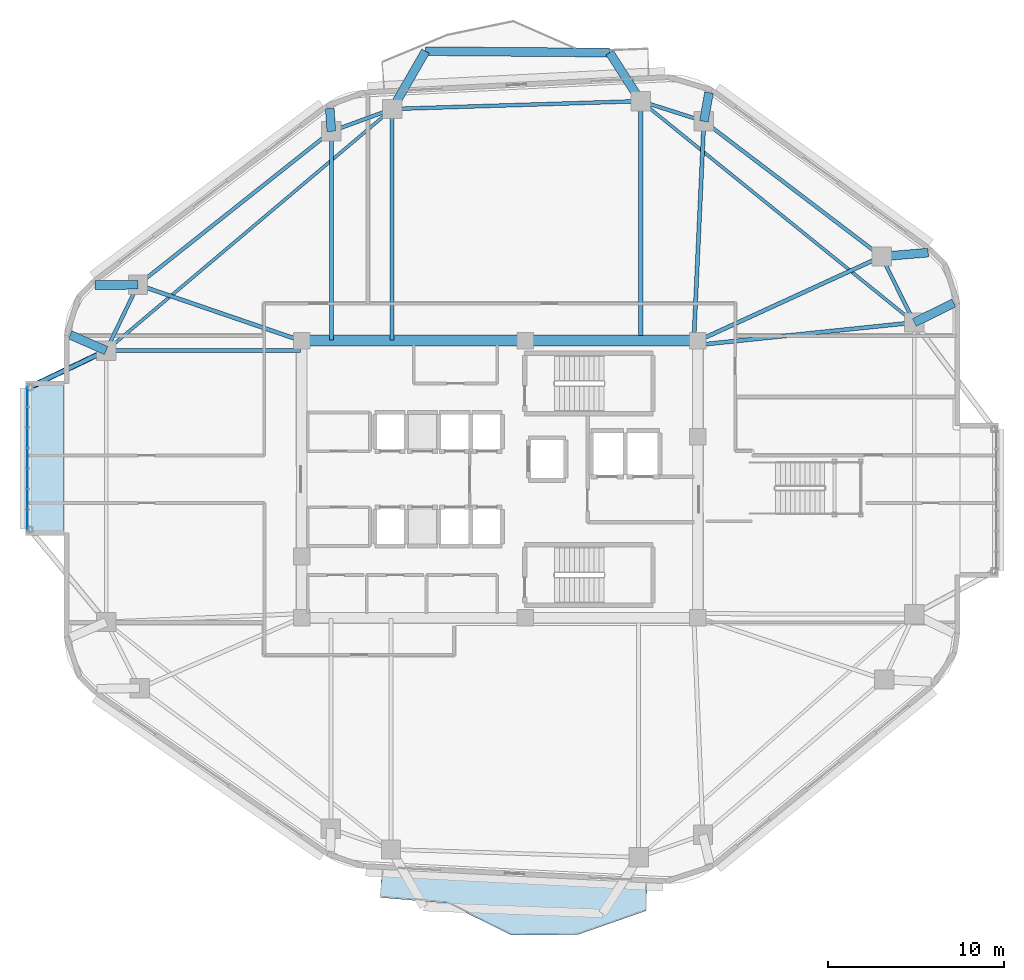
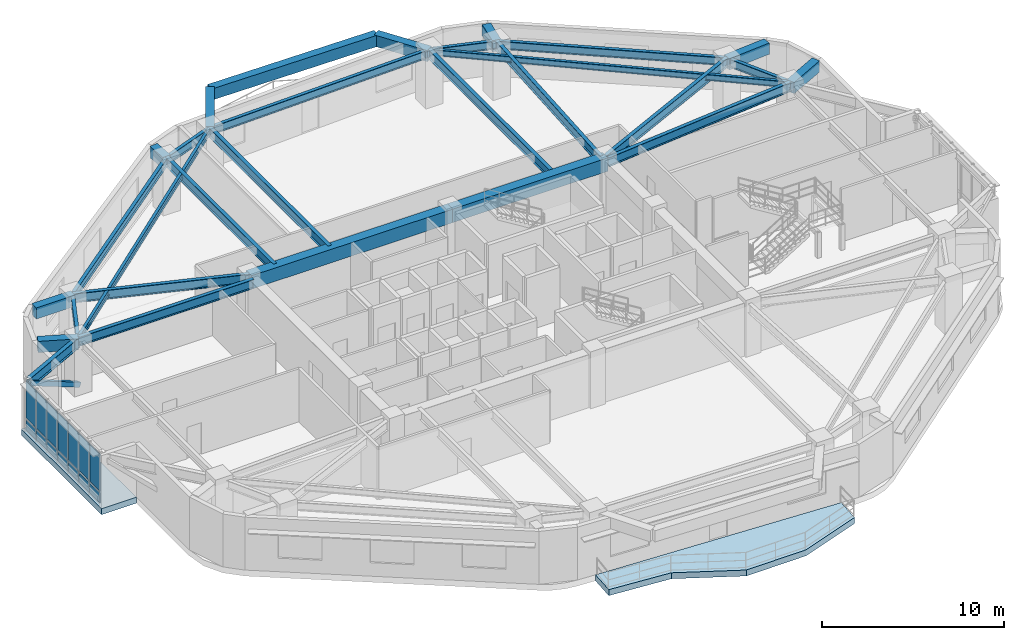
# One storey, part 7 of 16: 29 beams, 14 plates, 2 slabs, 1 member, 1 element without a shape of its own.
"""IFC4 building model written with IfcOpenShell, lengths in metres."""

from ifc_helpers import new_model, si_unit, direction, frame, origin, origin_2d, place, context, subcontext, project, spatial, polyline, rectangle, hollow_rectangle, i_section, outline, extrude, material, layer, layer_set, material_profile, profile_set, type_object, element, aggregate, save


model = new_model("IFC4")

# Units and contexts
model_context = context("Model", 3, precision=1e-05, world=origin(), true_north=direction((0.0, 1.0)))
body_context = subcontext(model_context, "Body", "Model", "MODEL_VIEW")
ifc_project = project(units=[si_unit("LENGTHUNIT", "METRE"), si_unit("AREAUNIT", "SQUARE_METRE"), si_unit("VOLUMEUNIT", "CUBIC_METRE"), si_unit("PLANEANGLEUNIT", "RADIAN"), si_unit("MASSUNIT", "GRAM", prefix="KILO")], contexts=[model_context])

# Site, building, storey
site_placement = place(None, origin())
site = spatial("IfcSite", under=ifc_project, at=site_placement, CompositionType="ELEMENT")
building_placement = place(site_placement, origin())
building = spatial("IfcBuilding", under=site, at=building_placement, Name="Zulverin Broadcast Headquarters", CompositionType="ELEMENT")
storey_placement = place(building_placement, frame((0.0, 0.0, 125.0)))
storey = spatial("IfcBuildingStorey", under=building, at=storey_placement, Name="L31", CompositionType="ELEMENT", Elevation=125.0)

# Beams
ifc_material_1 = material(Name="Concrete C60/75", Category="concrete")
ifc_material_profile_1 = material_profile(ifc_material_1, rectangle(XDim=0.60009765625, YDim=0.89990234375, at=origin_2d()), Name="Concrete C60/75", Category="concrete")
ifc_profile_set_1 = profile_set([ifc_material_profile_1], Name="Concrete C60/75")
beam_type_1 = type_object("IfcBeamType", Name="BM-CB-600x900", PredefinedType="LINTEL", material=ifc_profile_set_1)
beam_1_placement = place(storey_placement, frame((48.27490234375, 33.074951171875, 3.090087890625), z_axis=(-1.0, 0.0, 0.0), x_axis=(0.0, -1.0, 0.0)))
element("IfcBeam", 1, at=beam_1_placement, inside=storey, type_object=beam_type_1, Name="L31 Core Coupling Girder K05-K06", PredefinedType="LINTEL", context=body_context, shape_type="SweptSolid", body=[
    extrude(rectangle(XDim=0.60009765625, YDim=0.89990234375, at=origin_2d()), origin(), (0.0, 0.0, 1.0), 9.824951171875),
])
beam_2_placement = place(storey_placement, frame((38.449951171875, 33.074951171875, 3.090087890625), z_axis=(-1.0, 0.0, 0.0), x_axis=(0.0, -1.0, 0.0)))
element("IfcBeam", 2, at=beam_2_placement, inside=storey, type_object=beam_type_1, Name="L31 Core Coupling Girder K06-K07", PredefinedType="LINTEL", context=body_context, shape_type="SweptSolid", body=[
    extrude(rectangle(XDim=0.60009765625, YDim=0.89990234375, at=origin_2d()), origin(), (0.0, 0.0, 1.0), 12.724853515625),
])
ifc_material_2 = material(Name="Concrete C40/50", Category="concrete")
ifc_material_profile_2 = material_profile(ifc_material_2, rectangle(XDim=0.5, YDim=0.75, at=origin_2d()), Name="Concrete C40/50", Category="concrete")
ifc_profile_set_2 = profile_set([ifc_material_profile_2], Name="Concrete C40/50")
beam_type_2 = type_object("IfcBeamType", Name="BM-RC-500x750", PredefinedType="BEAM", material=ifc_profile_set_2)
beam_3_placement = place(storey_placement, frame((60.60009765625, 34.12158203125, 3.1650390625), z_axis=(0.89705908708, 0.441910617984, 0.0), x_axis=(-0.441910617984, 0.89705908708, 0.0)))
element("IfcBeam", 3, at=beam_3_placement, inside=storey, type_object=beam_type_2, Name="L32 Plate Overhang Back-Spanned Beam OVR-06", PredefinedType="BEAM", context=body_context, shape_type="SweptSolid", body=[
    extrude(rectangle(XDim=0.5, YDim=0.75, at=origin_2d()), origin(), (0.0, 0.0, 1.0), 2.50830078125),
])
beam_4_placement = place(storey_placement, frame((58.738037109375, 37.877685546875, 3.1650390625), z_axis=(0.996584209885, 0.082582762173, 0.0), x_axis=(-0.082582762173, 0.996584209885, 0.0)))
element("IfcBeam", 4, at=beam_4_placement, inside=storey, type_object=beam_type_2, Name="L32 Plate Overhang Back-Spanned Beam OVR-07", PredefinedType="BEAM", context=body_context, shape_type="SweptSolid", body=[
    extrude(rectangle(XDim=0.5, YDim=0.75, at=origin_2d()), origin(), (0.0, 0.0, 1.0), 2.66357421875),
])
beam_5_placement = place(storey_placement, frame((48.62158203125, 45.574951171875, 3.1650390625), z_axis=(0.176183868408, 0.984357274831, 0.0), x_axis=(-0.984357274831, 0.176183868408, 0.0)))
element("IfcBeam", 5, at=beam_5_placement, inside=storey, type_object=beam_type_2, Name="L32 Plate Overhang Back-Spanned Beam OVR-08", PredefinedType="BEAM", context=body_context, shape_type="SweptSolid", body=[
    extrude(rectangle(XDim=0.5, YDim=0.75, at=origin_2d()), origin(), (0.0, 0.0, 1.0), 1.654541015625),
])
beam_6_placement = place(storey_placement, frame((27.416259765625, 45.00439453125, 3.1650390625), z_axis=(-0.068312581643, 0.99766396707, 0.0), x_axis=(-0.99766396707, -0.068312581643, 0.0)))
element("IfcBeam", 6, at=beam_6_placement, inside=storey, type_object=beam_type_2, Name="L32 Plate Overhang Back-Spanned Beam OVR-11", PredefinedType="BEAM", context=body_context, shape_type="SweptSolid", body=[
    extrude(rectangle(XDim=0.5, YDim=0.75, at=origin_2d()), origin(), (0.0, 0.0, 1.0), 1.30078125),
])
beam_7_placement = place(storey_placement, frame((16.40869140625, 36.26806640625, 3.1650390625), z_axis=(-0.999988487108, -0.004798505187, 0.0), x_axis=(0.004798505187, -0.999988487108, 0.0)))
element("IfcBeam", 7, at=beam_7_placement, inside=storey, type_object=beam_type_2, Name="L32 Plate Overhang Back-Spanned Beam OVR-12", PredefinedType="BEAM", context=body_context, shape_type="SweptSolid", body=[
    extrude(rectangle(XDim=0.5, YDim=0.75, at=origin_2d()), origin(), (0.0, 0.0, 1.0), 2.442138671875),
])
beam_8_placement = place(storey_placement, frame((14.60009765625, 32.523193359375, 3.1650390625), z_axis=(-0.916345077011, 0.400389435221, 0.0), x_axis=(-0.400389435221, -0.916345077011, 0.0)))
element("IfcBeam", 8, at=beam_8_placement, inside=storey, type_object=beam_type_2, Name="L32 Plate Overhang Back-Spanned Beam OVR-13", PredefinedType="BEAM", context=body_context, shape_type="SweptSolid", body=[
    extrude(rectangle(XDim=0.5, YDim=0.75, at=origin_2d()), origin(), (0.0, 0.0, 1.0), 2.2373046875),
])
beam_9_placement = place(storey_placement, frame((45.027587890625, 46.7236328125, 3.1650390625), z_axis=(-0.539782488406, 0.841804529098, 0.0), x_axis=(-0.841804529098, -0.539782488406, 0.0)))
element("IfcBeam", 9, at=beam_9_placement, inside=storey, type_object=beam_type_2, Name="L32 Balcony Column-Framed Cantilever BAL_N-1", PredefinedType="BEAM", context=body_context, shape_type="SweptSolid", body=[
    extrude(rectangle(XDim=0.5, YDim=0.75, at=origin_2d()), origin(), (0.0, 0.0, 1.0), 3.278564453125),
])
beam_10_placement = place(storey_placement, frame((30.882080078125, 46.27490234375, 3.1650390625), z_axis=(0.500167342989, 0.865928766705, 0.0), x_axis=(-0.865928766705, 0.500167342989, 0.0)))
element("IfcBeam", 10, at=beam_10_placement, inside=storey, type_object=beam_type_2, Name="L32 Balcony Column-Framed Cantilever BAL_N-2", PredefinedType="BEAM", context=body_context, shape_type="SweptSolid", body=[
    extrude(rectangle(XDim=0.5, YDim=0.75, at=origin_2d()), origin(), (0.0, 0.0, 1.0), 3.800048828125),
])
beam_11_placement = place(storey_placement, frame((43.2578125, 49.483642578125, 3.1650390625), z_axis=(-0.99996952079, 0.007807527839, 0.0), x_axis=(-0.007807527839, -0.99996952079, 0.0)))
element("IfcBeam", 11, at=beam_11_placement, inside=storey, type_object=beam_type_2, Name="L32 Balcony Outer Edge Trimmer Beam BAL_N", PredefinedType="BEAM", context=body_context, shape_type="SweptSolid", body=[
    extrude(rectangle(XDim=0.5, YDim=0.75, at=origin_2d()), origin(), (0.0, 0.0, 1.0), 10.475341796875),
])
ifc_material_3 = material(Name="Structural steel S355JR", Category="steel")
ifc_material_profile_3 = material_profile(ifc_material_3, i_section(OverallWidth=0.179443359375, OverallDepth=0.412841796875, WebThickness=0.009521484375, FlangeThickness=0.01611328125, at=origin_2d()), Name="Structural steel S355JR", Category="steel")
ifc_profile_set_3 = profile_set([ifc_material_profile_3], Name="Structural steel S355JR")
beam_type_3 = type_object("IfcBeamType", Name="BM-UB-406", PredefinedType="JOIST", material=ifc_profile_set_3)
beam_12_placement = place(storey_placement, frame((60.60009765625, 34.12158203125, 3.33349609375), z_axis=(-0.777349017335, 0.629069555175, 0.0), x_axis=(-0.629069555175, -0.777349017335, 0.0)))
element("IfcBeam", 12, at=beam_12_placement, inside=storey, type_object=beam_type_3, Name="L31 Chordal Floor Joist J-02", PredefinedType="JOIST", context=body_context, shape_type="SweptSolid", body=[
    extrude(i_section(OverallWidth=0.179443359375, OverallDepth=0.412841796875, WebThickness=0.009521484375, FlangeThickness=0.01611328125, at=origin_2d()), origin(), (0.0, 0.0, 1.0), 20.032958984375),
])
beam_13_placement = place(storey_placement, frame((30.882080078125, 46.27490234375, 3.33349609375), z_axis=(-0.763972566446, -0.645248725468, 0.0), x_axis=(0.645248725468, -0.763972566446, 0.0)))
element("IfcBeam", 13, at=beam_13_placement, inside=storey, type_object=beam_type_3, Name="L31 Chordal Floor Joist J-03", PredefinedType="JOIST", context=body_context, shape_type="SweptSolid", body=[
    extrude(i_section(OverallWidth=0.179443359375, OverallDepth=0.412841796875, WebThickness=0.009521484375, FlangeThickness=0.01611328125, at=origin_2d()), origin(), (0.0, 0.0, 1.0), 21.312255859375),
])
ifc_material_profile_4 = material_profile(ifc_material_3, i_section(OverallWidth=0.2119140625, OverallDepth=0.54443359375, WebThickness=0.0126953125, FlangeThickness=0.021240234375, at=origin_2d()), Name="Structural steel S355JR", Category="steel")
ifc_profile_set_4 = profile_set([ifc_material_profile_4], Name="Structural steel S355JR")
beam_type_4 = type_object("IfcBeamType", Name="BM-UB-533", PredefinedType="SPANDREL", material=ifc_profile_set_4)
beam_14_placement = place(storey_placement, frame((60.60009765625, 34.12158203125, 3.267578125), z_axis=(-0.444159471033, 0.895947746407, 0.0), x_axis=(-0.895947746407, -0.444159471033, 0.0)))
element("IfcBeam", 14, at=beam_14_placement, inside=storey, type_object=beam_type_4, Name="L31 Perimeter Spandrel Beam SP-06", PredefinedType="SPANDREL", context=body_context, shape_type="SweptSolid", body=[
    extrude(i_section(OverallWidth=0.2119140625, OverallDepth=0.54443359375, WebThickness=0.0126953125, FlangeThickness=0.021240234375, at=origin_2d()), origin(), (0.0, 0.0, 1.0), 4.1923828125),
])
beam_15_placement = place(storey_placement, frame((58.738037109375, 37.877685546875, 3.267578125), z_axis=(-0.795830102505, 0.60551998146, 0.0), x_axis=(-0.60551998146, -0.795830102505, 0.0)))
element("IfcBeam", 15, at=beam_15_placement, inside=storey, type_object=beam_type_4, Name="L31 Perimeter Spandrel Beam SP-07", PredefinedType="SPANDREL", context=body_context, shape_type="SweptSolid", body=[
    extrude(i_section(OverallWidth=0.2119140625, OverallDepth=0.54443359375, WebThickness=0.0126953125, FlangeThickness=0.021240234375, at=origin_2d()), origin(), (0.0, 0.0, 1.0), 12.7119140625),
])
beam_16_placement = place(storey_placement, frame((48.62158203125, 45.574951171875, 3.267578125), z_axis=(-0.952531523781, 0.304439971428, 0.0), x_axis=(-0.304439971428, -0.952531523781, 0.0)))
element("IfcBeam", 16, at=beam_16_placement, inside=storey, type_object=beam_type_4, Name="L31 Perimeter Spandrel Beam SP-08", PredefinedType="SPANDREL", context=body_context, shape_type="SweptSolid", body=[
    extrude(i_section(OverallWidth=0.2119140625, OverallDepth=0.54443359375, WebThickness=0.0126953125, FlangeThickness=0.021240234375, at=origin_2d()), origin(), (0.0, 0.0, 1.0), 3.773193359375),
])
beam_17_placement = place(storey_placement, frame((45.027587890625, 46.7236328125, 3.267578125), z_axis=(-0.999497221833, -0.031706522156, 0.0), x_axis=(0.031706522156, -0.999497221833, 0.0)))
element("IfcBeam", 17, at=beam_17_placement, inside=storey, type_object=beam_type_4, Name="L31 Perimeter Spandrel Beam SP-09", PredefinedType="SPANDREL", context=body_context, shape_type="SweptSolid", body=[
    extrude(i_section(OverallWidth=0.2119140625, OverallDepth=0.54443359375, WebThickness=0.0126953125, FlangeThickness=0.021240234375, at=origin_2d()), origin(), (0.0, 0.0, 1.0), 14.152587890625),
])
beam_18_placement = place(storey_placement, frame((30.882080078125, 46.27490234375, 3.267578125), z_axis=(-0.938901965426, -0.344184687805, 0.0), x_axis=(0.344184687805, -0.938901965426, 0.0)))
element("IfcBeam", 18, at=beam_18_placement, inside=storey, type_object=beam_type_4, Name="L31 Perimeter Spandrel Beam SP-10", PredefinedType="SPANDREL", context=body_context, shape_type="SweptSolid", body=[
    extrude(i_section(OverallWidth=0.2119140625, OverallDepth=0.54443359375, WebThickness=0.0126953125, FlangeThickness=0.021240234375, at=origin_2d()), origin(), (0.0, 0.0, 1.0), 3.69140625),
])
beam_19_placement = place(storey_placement, frame((27.416259765625, 45.00439453125, 3.267578125), z_axis=(-0.783283263401, -0.621664965457, 0.0), x_axis=(0.621664965457, -0.783283263401, 0.0)))
element("IfcBeam", 19, at=beam_19_placement, inside=storey, type_object=beam_type_4, Name="L31 Perimeter Spandrel Beam SP-11", PredefinedType="SPANDREL", context=body_context, shape_type="SweptSolid", body=[
    extrude(i_section(OverallWidth=0.2119140625, OverallDepth=0.54443359375, WebThickness=0.0126953125, FlangeThickness=0.021240234375, at=origin_2d()), origin(), (0.0, 0.0, 1.0), 14.05322265625),
])
beam_20_placement = place(storey_placement, frame((16.40869140625, 36.26806640625, 3.267578125), z_axis=(-0.434890248034, -0.900483465792, 0.0), x_axis=(0.900483465792, -0.434890248034, 0.0)))
element("IfcBeam", 20, at=beam_20_placement, inside=storey, type_object=beam_type_4, Name="L31 Perimeter Spandrel Beam SP-12", PredefinedType="SPANDREL", context=body_context, shape_type="SweptSolid", body=[
    extrude(i_section(OverallWidth=0.2119140625, OverallDepth=0.54443359375, WebThickness=0.0126953125, FlangeThickness=0.021240234375, at=origin_2d()), origin(), (0.0, 0.0, 1.0), 4.15869140625),
])
ifc_material_profile_5 = material_profile(ifc_material_3, i_section(OverallWidth=0.230224609375, OverallDepth=0.6171875, WebThickness=0.01318359375, FlangeThickness=0.022216796875, at=origin_2d()), Name="Structural steel S355JR", Category="steel")
ifc_profile_set_5 = profile_set([ifc_material_profile_5], Name="Structural steel S355JR")
beam_type_5 = type_object("IfcBeamType", Name="BM-UB-610", PredefinedType="BEAM", material=ifc_profile_set_5)
beam_21_placement = place(storey_placement, frame((48.324951171875, 32.85009765625, 3.2314453125), z_axis=(0.994678169641, 0.103030766473, 0.0), x_axis=(-0.103030766473, 0.994678169641, 0.0)))
element("IfcBeam", 21, at=beam_21_placement, inside=storey, type_object=beam_type_5, Name="L31 Radial Primary Floor Beam RB-06", PredefinedType="BEAM", context=body_context, shape_type="SweptSolid", body=[
    extrude(i_section(OverallWidth=0.230224609375, OverallDepth=0.6171875, WebThickness=0.01318359375, FlangeThickness=0.022216796875, at=origin_2d()), origin(), (0.0, 0.0, 1.0), 12.3408203125),
])
beam_22_placement = place(storey_placement, frame((48.27490234375, 33.074951171875, 3.2314453125), z_axis=(0.90883007293, 0.417166511764, 0.0), x_axis=(-0.417166511764, 0.90883007293, 0.0)))
element("IfcBeam", 22, at=beam_22_placement, inside=storey, type_object=beam_type_5, Name="L31 Radial Primary Floor Beam RB-07", PredefinedType="BEAM", context=body_context, shape_type="SweptSolid", body=[
    extrude(i_section(OverallWidth=0.230224609375, OverallDepth=0.6171875, WebThickness=0.01318359375, FlangeThickness=0.022216796875, at=origin_2d()), origin(), (0.0, 0.0, 1.0), 11.5126953125),
])
beam_23_placement = place(storey_placement, frame((48.050048828125, 33.125, 3.2314453125), z_axis=(0.045858166026, 0.998947960911, 0.0), x_axis=(-0.998947960911, 0.045858166026, 0.0)))
element("IfcBeam", 23, at=beam_23_placement, inside=storey, type_object=beam_type_5, Name="L31 Radial Primary Floor Beam RB-08", PredefinedType="BEAM", context=body_context, shape_type="SweptSolid", body=[
    extrude(i_section(OverallWidth=0.230224609375, OverallDepth=0.6171875, WebThickness=0.01318359375, FlangeThickness=0.022216796875, at=origin_2d()), origin(), (0.0, 0.0, 1.0), 12.463134765625),
])
beam_24_placement = place(storey_placement, frame((45.027587890625, 33.125, 3.2314453125), z_axis=(0.0, 1.0, 0.0), x_axis=(-1.0, 0.0, 0.0)))
element("IfcBeam", 24, at=beam_24_placement, inside=storey, type_object=beam_type_5, Name="L31 Radial Primary Floor Beam RB-09", PredefinedType="BEAM", context=body_context, shape_type="SweptSolid", body=[
    extrude(i_section(OverallWidth=0.230224609375, OverallDepth=0.6171875, WebThickness=0.01318359375, FlangeThickness=0.022216796875, at=origin_2d()), origin(), (0.0, 0.0, 1.0), 13.5986328125),
])
beam_25_placement = place(storey_placement, frame((30.882080078125, 33.125, 3.2314453125), z_axis=(0.0, 1.0, 0.0), x_axis=(-1.0, 0.0, 0.0)))
element("IfcBeam", 25, at=beam_25_placement, inside=storey, type_object=beam_type_5, Name="L31 Radial Primary Floor Beam RB-10", PredefinedType="BEAM", context=body_context, shape_type="SweptSolid", body=[
    extrude(i_section(OverallWidth=0.230224609375, OverallDepth=0.6171875, WebThickness=0.01318359375, FlangeThickness=0.022216796875, at=origin_2d()), origin(), (0.0, 0.0, 1.0), 13.14990234375),
])
beam_26_placement = place(storey_placement, frame((27.416259765625, 33.125, 3.2314453125), z_axis=(0.0, 1.0, 0.0), x_axis=(-1.0, 0.0, 0.0)))
element("IfcBeam", 26, at=beam_26_placement, inside=storey, type_object=beam_type_5, Name="L31 Radial Primary Floor Beam RB-11", PredefinedType="BEAM", context=body_context, shape_type="SweptSolid", body=[
    extrude(i_section(OverallWidth=0.230224609375, OverallDepth=0.6171875, WebThickness=0.01318359375, FlangeThickness=0.022216796875, at=origin_2d()), origin(), (0.0, 0.0, 1.0), 11.87939453125),
])
beam_27_placement = place(storey_placement, frame((25.72509765625, 33.074951171875, 3.2314453125), z_axis=(-0.945979621685, 0.324226086793, 0.0), x_axis=(-0.324226086793, -0.945979621685, 0.0)))
element("IfcBeam", 27, at=beam_27_placement, inside=storey, type_object=beam_type_5, Name="L31 Radial Primary Floor Beam RB-12", PredefinedType="BEAM", context=body_context, shape_type="SweptSolid", body=[
    extrude(i_section(OverallWidth=0.230224609375, OverallDepth=0.6171875, WebThickness=0.01318359375, FlangeThickness=0.022216796875, at=origin_2d()), origin(), (0.0, 0.0, 1.0), 9.848388671875),
])
beam_28_placement = place(storey_placement, frame((25.675048828125, 32.523193359375, 3.2314453125), z_axis=(-1.0, 0.0, 0.0), x_axis=(0.0, -1.0, 0.0)))
element("IfcBeam", 28, at=beam_28_placement, inside=storey, type_object=beam_type_5, Name="L31 Radial Primary Floor Beam RB-13", PredefinedType="BEAM", context=body_context, shape_type="SweptSolid", body=[
    extrude(i_section(OverallWidth=0.230224609375, OverallDepth=0.6171875, WebThickness=0.01318359375, FlangeThickness=0.022216796875, at=origin_2d()), origin(), (0.0, 0.0, 1.0), 11.074951171875),
])
ifc_material_profile_6 = material_profile(ifc_material_3, i_section(OverallWidth=0.255859375, OverallDepth=0.69287109375, WebThickness=0.014404296875, FlangeThickness=0.023681640625, at=origin_2d()), Name="Structural steel S355JR", Category="steel")
ifc_profile_set_6 = profile_set([ifc_material_profile_6], Name="Structural steel S355JR")
beam_type_6 = type_object("IfcBeamType", Name="BM-UB-686", PredefinedType="BEAM", material=ifc_profile_set_6)
beam_29_placement = place(storey_placement, frame((14.60009765625, 32.523193359375, 3.193603515625), z_axis=(-0.90191052495, -0.431922915557, 0.0), x_axis=(0.431922915557, -0.90191052495, 0.0)))
element("IfcBeam", 29, at=beam_29_placement, inside=storey, type_object=beam_type_6, Name="L31 Studio Box Cantilever Girder SBOX_SKY1_W-2", PredefinedType="BEAM", context=body_context, shape_type="SweptSolid", body=[
    extrude(i_section(OverallWidth=0.255859375, OverallDepth=0.69287109375, WebThickness=0.014404296875, FlangeThickness=0.023681640625, at=origin_2d()), origin(), (0.0, 0.0, 1.0), 4.8232421875),
])

# Member
ifc_material_profile_7 = material_profile(ifc_material_3, hollow_rectangle(XDim=0.300048828125, YDim=0.300048828125, WallThickness=0.01611328125, at=origin_2d()), Name="Structural steel S355JR", Category="steel")
ifc_profile_set_7 = profile_set([ifc_material_profile_7], Name="Structural steel S355JR")
member_type = type_object("IfcMemberType", Name="MBR-BLT-DIAG1", PredefinedType="BRACE", material=ifc_profile_set_7)
member_placement = place(storey_placement, frame((14.60009765625, 32.523193359375, 0.35009765625), z_axis=(-0.77366688973, -0.370507327987, 0.513968738003), x_axis=(0.431922915557, -0.90191052495, 0.0)))
element("IfcMember", 30, at=member_placement, inside=storey, type_object=member_type, Name="L31 Studio Box Raking Knee Brace SBOX_SKY1_W-2", PredefinedType="BRACE", context=body_context, shape_type="SweptSolid", body=[
    extrude(hollow_rectangle(XDim=0.300048828125, YDim=0.300048828125, WallThickness=0.01611328125, at=origin_2d()), origin(), (0.0, 0.0, 1.0), 5.622802734375),
])

# Curtain wall, plates
ifc_material_4 = material(Name="Acoustic triple-glazed studio box curtain wall", Category="aluminium")
curtain_wall_type = type_object("IfcCurtainWallType", Name="CW-SBOX", PredefinedType="USERDEFINED", material=ifc_material_4)
curtain_wall_placement = place(storey_placement, origin())
curtain_wall = element("IfcCurtainWall", 31, at=curtain_wall_placement, inside=storey, type_object=curtain_wall_type, Name="L31 Unitised Curtain Wall CW-L31-SBOX_SKY1_W-F", ObjectType="UNITISED CURTAIN WALL", PredefinedType="USERDEFINED")
ifc_material_5 = material(Name="Low-E double-glazed pale-silver vision glass", Category="glass")
ifc_layer_1 = layer(ifc_material_5, 0.035888671875, Name="Low-E double-glazed pale-silver vision glass", Category="glass")
ifc_layer_set_1 = layer_set([ifc_layer_1], Name="Low-E double-glazed pale-silver vision glass")
plate_type_1 = type_object("IfcPlateType", Name="CW-PNL-GLZ", PredefinedType="CURTAIN_PANEL", material=ifc_layer_set_1)
plate_1_placement = place(storey_placement, frame((10.1201171875, 29.88720703125, 0.91455078125), z_axis=(0.0, 0.0, 1.0), x_axis=(0.0, -1.0, 0.0)))
plate_1 = element("IfcPlate", 32, at=plate_1_placement, type_object=plate_type_1, Name="CW-L31-SBOX_SKY1_W-F Vision Panel 00", PredefinedType="CURTAIN_PANEL", context=body_context, shape_type="SweptSolid", body=[
    extrude(rectangle(XDim=1.125732421875, YDim=0.035888671875, at=origin_2d()), origin(), (0.0, 0.0, 1.0), 2.4853515625),
])
plate_2_placement = place(storey_placement, frame((10.1201171875, 28.721435546875, 0.91455078125), z_axis=(0.0, 0.0, 1.0), x_axis=(0.0, -1.0, 0.0)))
plate_2 = element("IfcPlate", 33, at=plate_2_placement, type_object=plate_type_1, Name="CW-L31-SBOX_SKY1_W-F Vision Panel 01", PredefinedType="CURTAIN_PANEL", context=body_context, shape_type="SweptSolid", body=[
    extrude(rectangle(XDim=1.125732421875, YDim=0.035888671875, at=origin_2d()), origin(), (0.0, 0.0, 1.0), 2.4853515625),
])
plate_3_placement = place(storey_placement, frame((10.1201171875, 27.5556640625, 0.91455078125), z_axis=(0.0, 0.0, 1.0), x_axis=(0.0, -1.0, 0.0)))
plate_3 = element("IfcPlate", 34, at=plate_3_placement, type_object=plate_type_1, Name="CW-L31-SBOX_SKY1_W-F Vision Panel 02", PredefinedType="CURTAIN_PANEL", context=body_context, shape_type="SweptSolid", body=[
    extrude(rectangle(XDim=1.125732421875, YDim=0.035888671875, at=origin_2d()), origin(), (0.0, 0.0, 1.0), 2.4853515625),
])
plate_4_placement = place(storey_placement, frame((10.1201171875, 26.389892578125, 0.91455078125), z_axis=(0.0, 0.0, 1.0), x_axis=(0.0, -1.0, 0.0)))
plate_4 = element("IfcPlate", 35, at=plate_4_placement, type_object=plate_type_1, Name="CW-L31-SBOX_SKY1_W-F Vision Panel 03", PredefinedType="CURTAIN_PANEL", context=body_context, shape_type="SweptSolid", body=[
    extrude(rectangle(XDim=1.125732421875, YDim=0.035888671875, at=origin_2d()), origin(), (0.0, 0.0, 1.0), 2.4853515625),
])
plate_5_placement = place(storey_placement, frame((10.1201171875, 25.224365234375, 0.91455078125), z_axis=(0.0, 0.0, 1.0), x_axis=(0.0, -1.0, 0.0)))
plate_5 = element("IfcPlate", 36, at=plate_5_placement, type_object=plate_type_1, Name="CW-L31-SBOX_SKY1_W-F Vision Panel 04", PredefinedType="CURTAIN_PANEL", context=body_context, shape_type="SweptSolid", body=[
    extrude(rectangle(XDim=1.125732421875, YDim=0.035888671875, at=origin_2d()), origin(), (0.0, 0.0, 1.0), 2.4853515625),
])
plate_6_placement = place(storey_placement, frame((10.1201171875, 24.05859375, 0.91455078125), z_axis=(0.0, 0.0, 1.0), x_axis=(0.0, -1.0, 0.0)))
plate_6 = element("IfcPlate", 37, at=plate_6_placement, type_object=plate_type_1, Name="CW-L31-SBOX_SKY1_W-F Vision Panel 05", PredefinedType="CURTAIN_PANEL", context=body_context, shape_type="SweptSolid", body=[
    extrude(rectangle(XDim=1.125732421875, YDim=0.035888671875, at=origin_2d()), origin(), (0.0, 0.0, 1.0), 2.4853515625),
])
plate_7_placement = place(storey_placement, frame((10.1201171875, 22.892822265625, 0.91455078125), z_axis=(0.0, 0.0, 1.0), x_axis=(0.0, -1.0, 0.0)))
plate_7 = element("IfcPlate", 38, at=plate_7_placement, type_object=plate_type_1, Name="CW-L31-SBOX_SKY1_W-F Vision Panel 06", PredefinedType="CURTAIN_PANEL", context=body_context, shape_type="SweptSolid", body=[
    extrude(rectangle(XDim=1.125732421875, YDim=0.035888671875, at=origin_2d()), origin(), (0.0, 0.0, 1.0), 2.4853515625),
])
ifc_material_6 = material(Name="Insulated brushed pale-aluminium spandrel cassette", Category="aluminium")
ifc_layer_2 = layer(ifc_material_6, 0.050048828125, Name="Insulated brushed pale-aluminium spandrel cassette", Category="aluminium")
ifc_layer_set_2 = layer_set([ifc_layer_2], Name="Insulated brushed pale-aluminium spandrel cassette")
plate_type_2 = type_object("IfcPlateType", Name="CW-PNL-SPN", PredefinedType="CURTAIN_PANEL", material=ifc_layer_set_2)
plate_8_placement = place(storey_placement, frame((10.1201171875, 29.88720703125, 0.14013671875), z_axis=(0.0, 0.0, 1.0), x_axis=(0.0, -1.0, 0.0)))
plate_8 = element("IfcPlate", 39, at=plate_8_placement, type_object=plate_type_2, Name="CW-L31-SBOX_SKY1_W-F Spandrel Cassette 00", PredefinedType="CURTAIN_PANEL", context=body_context, shape_type="SweptSolid", body=[
    extrude(rectangle(XDim=1.125732421875, YDim=0.050048828125, at=origin_2d()), origin(), (0.0, 0.0, 1.0), 0.64453125),
])
plate_9_placement = place(storey_placement, frame((10.1201171875, 28.721435546875, 0.14013671875), z_axis=(0.0, 0.0, 1.0), x_axis=(0.0, -1.0, 0.0)))
plate_9 = element("IfcPlate", 40, at=plate_9_placement, type_object=plate_type_2, Name="CW-L31-SBOX_SKY1_W-F Spandrel Cassette 01", PredefinedType="CURTAIN_PANEL", context=body_context, shape_type="SweptSolid", body=[
    extrude(rectangle(XDim=1.125732421875, YDim=0.050048828125, at=origin_2d()), origin(), (0.0, 0.0, 1.0), 0.64453125),
])
plate_10_placement = place(storey_placement, frame((10.1201171875, 27.5556640625, 0.14013671875), z_axis=(0.0, 0.0, 1.0), x_axis=(0.0, -1.0, 0.0)))
plate_10 = element("IfcPlate", 41, at=plate_10_placement, type_object=plate_type_2, Name="CW-L31-SBOX_SKY1_W-F Spandrel Cassette 02", PredefinedType="CURTAIN_PANEL", context=body_context, shape_type="SweptSolid", body=[
    extrude(rectangle(XDim=1.125732421875, YDim=0.050048828125, at=origin_2d()), origin(), (0.0, 0.0, 1.0), 0.64453125),
])
plate_11_placement = place(storey_placement, frame((10.1201171875, 26.389892578125, 0.14013671875), z_axis=(0.0, 0.0, 1.0), x_axis=(0.0, -1.0, 0.0)))
plate_11 = element("IfcPlate", 42, at=plate_11_placement, type_object=plate_type_2, Name="CW-L31-SBOX_SKY1_W-F Spandrel Cassette 03", PredefinedType="CURTAIN_PANEL", context=body_context, shape_type="SweptSolid", body=[
    extrude(rectangle(XDim=1.125732421875, YDim=0.050048828125, at=origin_2d()), origin(), (0.0, 0.0, 1.0), 0.64453125),
])
plate_12_placement = place(storey_placement, frame((10.1201171875, 25.224365234375, 0.14013671875), z_axis=(0.0, 0.0, 1.0), x_axis=(0.0, -1.0, 0.0)))
plate_12 = element("IfcPlate", 43, at=plate_12_placement, type_object=plate_type_2, Name="CW-L31-SBOX_SKY1_W-F Spandrel Cassette 04", PredefinedType="CURTAIN_PANEL", context=body_context, shape_type="SweptSolid", body=[
    extrude(rectangle(XDim=1.125732421875, YDim=0.050048828125, at=origin_2d()), origin(), (0.0, 0.0, 1.0), 0.64453125),
])
plate_13_placement = place(storey_placement, frame((10.1201171875, 24.05859375, 0.14013671875), z_axis=(0.0, 0.0, 1.0), x_axis=(0.0, -1.0, 0.0)))
plate_13 = element("IfcPlate", 44, at=plate_13_placement, type_object=plate_type_2, Name="CW-L31-SBOX_SKY1_W-F Spandrel Cassette 05", PredefinedType="CURTAIN_PANEL", context=body_context, shape_type="SweptSolid", body=[
    extrude(rectangle(XDim=1.125732421875, YDim=0.050048828125, at=origin_2d()), origin(), (0.0, 0.0, 1.0), 0.64453125),
])
plate_14_placement = place(storey_placement, frame((10.1201171875, 22.892822265625, 0.14013671875), z_axis=(0.0, 0.0, 1.0), x_axis=(0.0, -1.0, 0.0)))
plate_14 = element("IfcPlate", 45, at=plate_14_placement, type_object=plate_type_2, Name="CW-L31-SBOX_SKY1_W-F Spandrel Cassette 06", PredefinedType="CURTAIN_PANEL", context=body_context, shape_type="SweptSolid", body=[
    extrude(rectangle(XDim=1.125732421875, YDim=0.050048828125, at=origin_2d()), origin(), (0.0, 0.0, 1.0), 0.64453125),
])
aggregate(curtain_wall, [plate_8, plate_1, plate_9, plate_2, plate_10, plate_3, plate_11, plate_4, plate_12, plate_5, plate_13, plate_6, plate_14, plate_7])

# Slabs
ifc_layer_3 = layer(ifc_material_2, 0.39990234375, Name="Concrete C40/50", Category="concrete")
ifc_layer_set_3 = layer_set([ifc_layer_3], Name="Concrete C40/50")
slab_type_1 = type_object("IfcSlabType", Name="SLB-BAL-400", PredefinedType="FLOOR", material=ifc_layer_set_3)
slab_1_placement = place(storey_placement, frame((0.0, 0.0, -0.39990234375)))
element("IfcSlab", 46, at=slab_1_placement, inside=storey, type_object=slab_type_1, Name="L31 Cantilevered Planted Balcony Slab BAL_S", PredefinedType="FLOOR", context=body_context, shape_type="SweptSolid", body=[
    extrude(outline(polyline([(45.400390625, 2.230712890625), (30.28662109375, 2.989013671875), (30.206298828125, 1.390869140625), (33.978515625, 1.074462890625), (37.674560546875, -0.75439453125), (41.464599609375, -0.715087890625), (45.320068359375, 0.632568359375), (45.400390625, 2.230712890625)])), origin(), (0.0, 0.0, 1.0), 0.39990234375),
])
ifc_material_7 = material(Name="Concrete C50/60", Category="concrete")
ifc_layer_4 = layer(ifc_material_7, 0.39990234375, Name="Concrete C50/60", Category="concrete")
ifc_layer_set_4 = layer_set([ifc_layer_4], Name="Concrete C50/60")
slab_type_2 = type_object("IfcSlabType", Name="SLB-TRN-400", PredefinedType="FLOOR", material=ifc_layer_set_4)
slab_2_placement = place(storey_placement, frame((0.0, 0.0, -0.39990234375)))
element("IfcSlab", 47, at=slab_2_placement, inside=storey, type_object=slab_type_2, Name="L31 Shifted Broadcast Studio Box Floor Slab SBOX_SKY1_W", PredefinedType="FLOOR", context=body_context, shape_type="SweptSolid", body=[
    extrude(outline(polyline([(10.0, 21.989990234375), (12.199951171875, 21.989990234375), (12.199951171875, 30.7900390625), (10.0, 30.7900390625), (10.0, 21.989990234375)])), origin(), (0.0, 0.0, 1.0), 0.39990234375),
])

save(model, "model.ifc")
